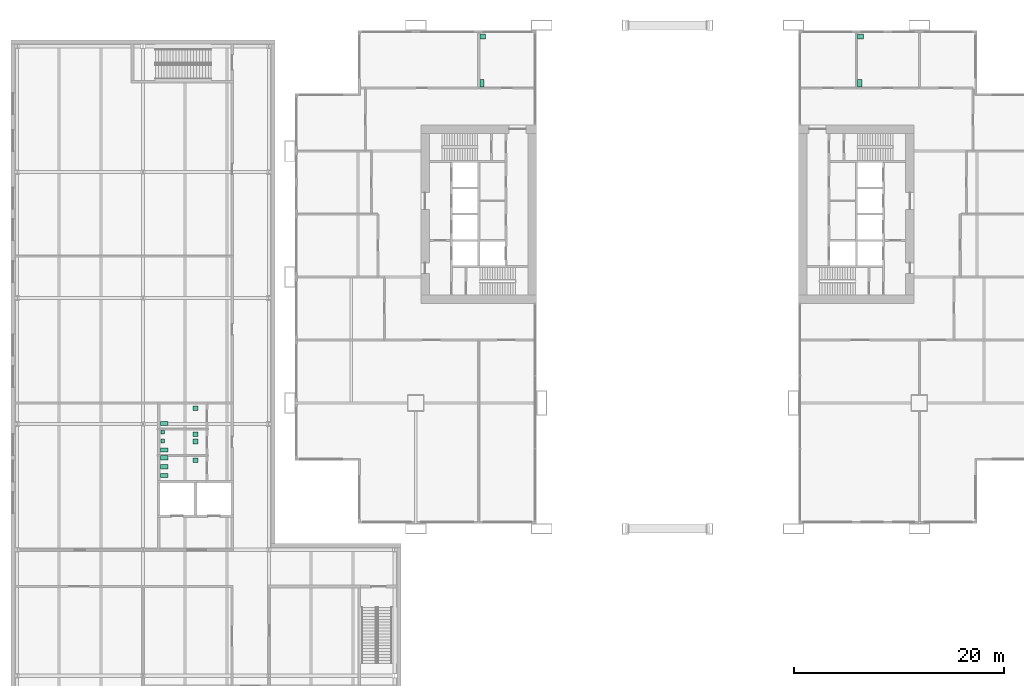
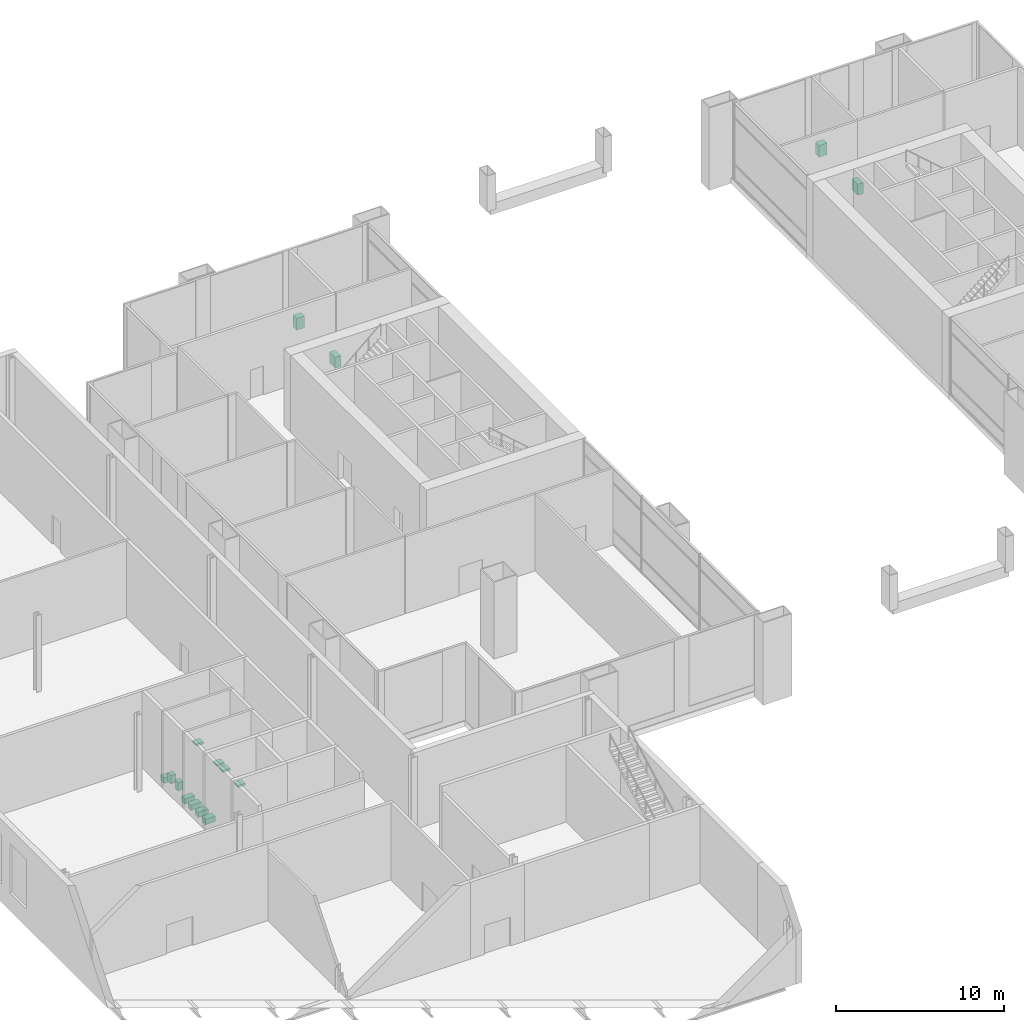
# One storey, part 25 of 25: 15 sanitary terminals.
"""IFC4 building model written with IfcOpenShell, lengths in metres."""

from ifc_helpers import new_model, si_unit, direction, frame, origin, origin_2d, place, context, subcontext, project, spatial, rectangle, extrude, material, type_object, element, save


model = new_model("IFC4")

# Units and contexts
model_context = context("Model", 3, precision=1e-05, world=origin(), true_north=direction((0.0, 1.0)))
body_context = subcontext(model_context, "Body", "Model", "MODEL_VIEW")
ifc_project = project(units=[si_unit("LENGTHUNIT", "METRE"), si_unit("AREAUNIT", "SQUARE_METRE"), si_unit("VOLUMEUNIT", "CUBIC_METRE"), si_unit("PLANEANGLEUNIT", "RADIAN"), si_unit("MASSUNIT", "GRAM", prefix="KILO")], contexts=[model_context])

# Site, building, storey
site_placement = place(None, origin())
site = spatial("IfcSite", under=ifc_project, at=site_placement, CompositionType="ELEMENT")
building_placement = place(site_placement, origin())
building = spatial("IfcBuilding", under=site, at=building_placement, Name="Kitamizu Gate Tower and Museum", CompositionType="ELEMENT")
storey_placement = place(building_placement, frame((0.0, 0.0, 18.0)))
storey = spatial("IfcBuildingStorey", under=building, at=storey_placement, Name="L03", CompositionType="ELEMENT", Elevation=18.0)

# Sanitary terminals
ifc_material_1 = material(Name="Vitreous china")
sanitary_terminal_type_1 = type_object("IfcSanitaryTerminalType", Name="Wash hand basin", PredefinedType="WASHHANDBASIN", material=ifc_material_1)
for number, where, z_axis, x_axis, name in (
    (1, (54.39501953125, 46.93505859375, 0.0009765625), (0.0, 0.0, 1.0), (1.0, 0.0, 0.0), "Wash hand basin Public WC"),
    (2, (18.39501953125, 46.93505859375, 0.0009765625), (0.0, 0.0, 1.0), (1.0, 0.0, 0.0), "Wash hand basin Accessible WC"),
):
    element("IfcSanitaryTerminal", number, at=place(storey_placement, frame(where, z_axis=z_axis, x_axis=x_axis)), inside=storey, type_object=sanitary_terminal_type_1, Name=name, PredefinedType="WASHHANDBASIN", context=body_context, shape_type="SweptSolid", body=[
        extrude(rectangle(XDim=0.550048828125, YDim=0.449951171875, at=origin_2d()), origin(), (0.0, 0.0, 1.0), 0.85009765625),
    ])
ifc_material_2 = material(Name="Vitreous china")
sanitary_terminal_type_2 = type_object("IfcSanitaryTerminalType", Name="Water closet", PredefinedType="TOILETPAN", material=ifc_material_2)
for number, where, z_axis, x_axis, name in (
    (3, (54.320068359375, 42.469970703125, 0.0009765625), (0.0, 0.0, 1.0), (1.0, 0.0, 0.0), "Water closet Public WC"),
    (4, (18.320068359375, 42.469970703125, 0.0009765625), (0.0, 0.0, 1.0), (1.0, 0.0, 0.0), "Water closet Accessible WC"),
):
    element("IfcSanitaryTerminal", number, at=place(storey_placement, frame(where, z_axis=z_axis, x_axis=x_axis)), inside=storey, type_object=sanitary_terminal_type_2, Name=name, PredefinedType="TOILETPAN", context=body_context, shape_type="SweptSolid", body=[
        extrude(rectangle(XDim=0.39990234375, YDim=0.699951171875, at=origin_2d()), origin(), (0.0, 0.0, 1.0), 0.800048828125),
    ])
for number, where, z_axis, x_axis, name in (
    (5, (-11.97509765625, 5.074951171875, 0.0), (0.0, 0.0, 1.0), (1.0, 0.0, 0.0), "WC pan Women WC 1"),
    (6, (-11.97509765625, 5.925048828125, 0.0), (0.0, 0.0, 1.0), (1.0, 0.0, 0.0), "WC pan Women WC 2"),
    (7, (-11.97509765625, 6.77490234375, 0.0), (0.0, 0.0, 1.0), (1.0, 0.0, 0.0), "WC pan Women WC 3"),
):
    element("IfcSanitaryTerminal", number, at=place(storey_placement, frame(where, z_axis=z_axis, x_axis=x_axis)), inside=storey, Name=name, PredefinedType="TOILETPAN", context=body_context, shape_type="SweptSolid", body=[
        extrude(rectangle(XDim=0.699951171875, YDim=0.39990234375, at=origin_2d()), origin(), (0.0, 0.0, 1.0), 0.39990234375),
    ])
sanitary_terminal_1_placement = place(storey_placement, frame((-9.0, 6.52490234375, 0.775146484375), z_axis=(0.0, 0.0, 1.0), x_axis=(1.0, 0.0, 0.0)))
element("IfcSanitaryTerminal", 8, at=sanitary_terminal_1_placement, inside=storey, Name="Basin Women WC 1", PredefinedType="WASHHANDBASIN", context=body_context, shape_type="SweptSolid", body=[
    extrude(rectangle(XDim=0.5, YDim=0.449951171875, at=origin_2d()), origin(), (0.0, 0.0, 1.0), 0.14990234375),
])
sanitary_terminal_2_placement = place(storey_placement, frame((-11.97509765625, 7.52490234375, 0.0), z_axis=(0.0, 0.0, 1.0), x_axis=(1.0, 0.0, 0.0)))
element("IfcSanitaryTerminal", 9, at=sanitary_terminal_2_placement, inside=storey, Name="WC pan Men WC 1", PredefinedType="TOILETPAN", context=body_context, shape_type="SweptSolid", body=[
    extrude(rectangle(XDim=0.699951171875, YDim=0.39990234375, at=origin_2d()), origin(), (0.0, 0.0, 1.0), 0.39990234375),
])
for number, where, z_axis, x_axis, name in (
    (10, (-12.125, 8.375, 0.449951171875), (0.0, 0.0, 1.0), (1.0, 0.0, 0.0), "Urinal Men WC 1"),
    (11, (-12.125, 9.22509765625, 0.449951171875), (0.0, 0.0, 1.0), (1.0, 0.0, 0.0), "Urinal Men WC 2"),
):
    element("IfcSanitaryTerminal", number, at=place(storey_placement, frame(where, z_axis=z_axis, x_axis=x_axis)), inside=storey, Name=name, PredefinedType="URINAL", context=body_context, shape_type="SweptSolid", body=[
        extrude(rectangle(XDim=0.35009765625, YDim=0.39990234375, at=origin_2d()), origin(), (0.0, 0.0, 1.0), 0.60009765625),
    ])
for number, where, z_axis, x_axis, name in (
    (12, (-9.0, 9.02490234375, 0.775146484375), (0.0, 0.0, 1.0), (1.0, 0.0, 0.0), "Basin Men WC 1"),
    (13, (-9.0, 8.324951171875, 0.775146484375), (0.0, 0.0, 1.0), (1.0, 0.0, 0.0), "Basin Men WC 2"),
):
    element("IfcSanitaryTerminal", number, at=place(storey_placement, frame(where, z_axis=z_axis, x_axis=x_axis)), inside=storey, Name=name, PredefinedType="WASHHANDBASIN", context=body_context, shape_type="SweptSolid", body=[
        extrude(rectangle(XDim=0.5, YDim=0.449951171875, at=origin_2d()), origin(), (0.0, 0.0, 1.0), 0.14990234375),
    ])
sanitary_terminal_3_placement = place(storey_placement, frame((-11.97509765625, 10.02490234375, 0.0), z_axis=(0.0, 0.0, 1.0), x_axis=(1.0, 0.0, 0.0)))
element("IfcSanitaryTerminal", 14, at=sanitary_terminal_3_placement, inside=storey, Name="WC pan Accessible WC 1", PredefinedType="TOILETPAN", context=body_context, shape_type="SweptSolid", body=[
    extrude(rectangle(XDim=0.699951171875, YDim=0.39990234375, at=origin_2d()), origin(), (0.0, 0.0, 1.0), 0.39990234375),
])
sanitary_terminal_4_placement = place(storey_placement, frame((-9.0, 11.5, 0.775146484375), z_axis=(0.0, 0.0, 1.0), x_axis=(1.0, 0.0, 0.0)))
element("IfcSanitaryTerminal", 15, at=sanitary_terminal_4_placement, inside=storey, Name="Basin Accessible WC 1", PredefinedType="WASHHANDBASIN", context=body_context, shape_type="SweptSolid", body=[
    extrude(rectangle(XDim=0.5, YDim=0.449951171875, at=origin_2d()), origin(), (0.0, 0.0, 1.0), 0.14990234375),
])

save(model, "model.ifc")
